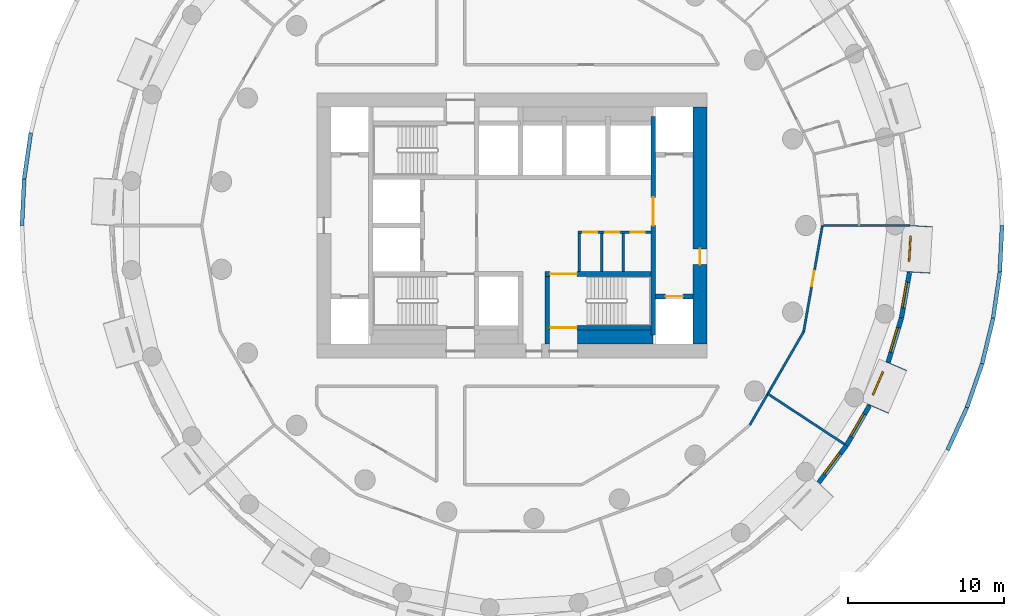
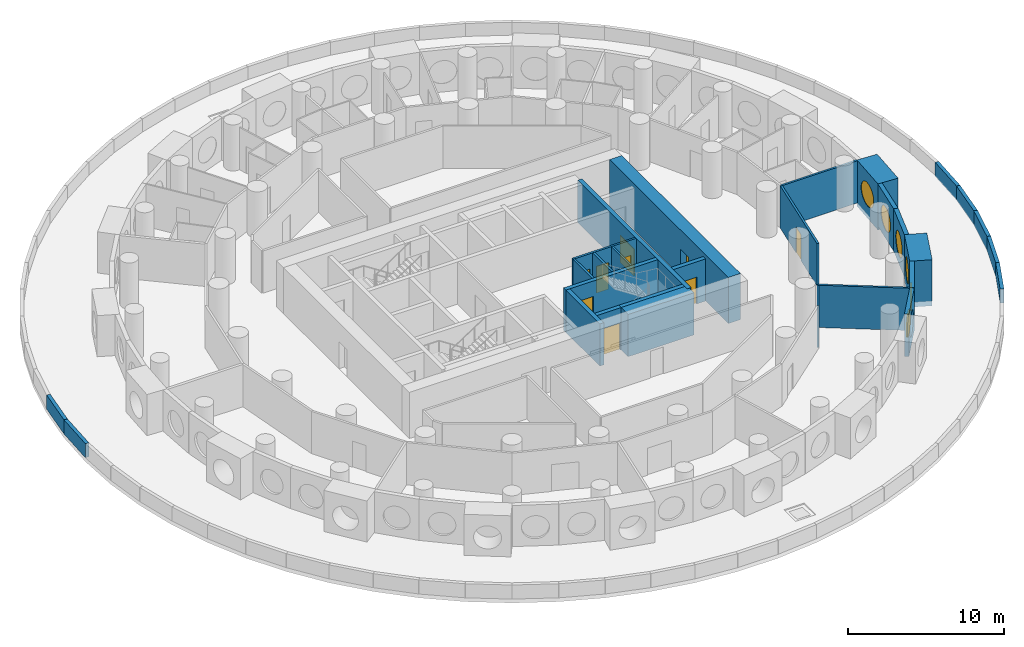
# One storey, part 5 of 13: 29 walls, 9 doors, 6 windows, 15 openings.
"""IFC4 building model written with IfcOpenShell, lengths in metres."""

from ifc_helpers import new_model, si_unit, direction, frame, frame_2d, origin, origin_2d, place, context, subcontext, project, spatial, rectangle, circle, extrude, material, layer, layer_set, type_object, element, fill, save


model = new_model("IFC4")

# Units and contexts
model_context = context("Model", 3, precision=1e-05, world=origin(), true_north=direction((0.0, 1.0)))
body_context = subcontext(model_context, "Body", "Model", "MODEL_VIEW")
ifc_project = project(units=[si_unit("LENGTHUNIT", "METRE"), si_unit("AREAUNIT", "SQUARE_METRE"), si_unit("VOLUMEUNIT", "CUBIC_METRE"), si_unit("PLANEANGLEUNIT", "RADIAN"), si_unit("MASSUNIT", "GRAM", prefix="KILO")], contexts=[model_context])

# Site, building, storey
site_placement = place(None, origin())
site = spatial("IfcSite", under=ifc_project, at=site_placement, CompositionType="ELEMENT")
building_placement = place(site_placement, origin())
building = spatial("IfcBuilding", under=site, at=building_placement, Name="Tracery Tower", CompositionType="ELEMENT")
storey_placement = place(building_placement, frame((0.0, 0.0, 126.0)))
storey = spatial("IfcBuildingStorey", under=building, at=storey_placement, Name="L31", CompositionType="ELEMENT", Elevation=126.0)

# Wall
ifc_material_1 = material(Name="Plasterboard on steel studs", Category="steel")
ifc_layer_1 = layer(ifc_material_1, 0.14990234375)
ifc_layer_set_1 = layer_set([ifc_layer_1], Name="Core room partition 150")
wall_type_1 = type_object("IfcWallType", Name="Core room partition 150", PredefinedType="SOLIDWALL", material=ifc_layer_set_1)
wall_1_placement = place(storey_placement, frame((4.300048828125, -2.949951171875, 0.0), z_axis=(0.0, 0.0, 1.0), x_axis=(0.0, 1.0, 0.0)))
element("IfcWall", 1, at=wall_1_placement, inside=storey, type_object=wall_type_1, Name="L31 slot W", PredefinedType="SOLIDWALL", context=body_context, shape_type="SweptSolid", body=[
    extrude(rectangle(XDim=2.449951171875, YDim=0.14990234375, at=frame_2d((1.22509765625, 0.0))), origin(), (0.0, 0.0, 1.0), 3.300048828125),
])

# Wall, openings, doors
wall_2_placement = place(storey_placement, frame((4.22509765625, -0.425048828125, 0.0), z_axis=(0.0, 0.0, 1.0), x_axis=(1.0, 0.0, 0.0)))
wall_2 = element("IfcWall", 2, at=wall_2_placement, inside=storey, type_object=wall_type_1, Name="L31 slot N", PredefinedType="SOLIDWALL", context=body_context, shape_type="SweptSolid", body=[
    extrude(rectangle(XDim=4.6748046875, YDim=0.14990234375, at=frame_2d((2.33740234375, 0.0))), origin(), (0.0, 0.0, 1.0), 3.300048828125),
])
opening_1_placement = place(wall_2_placement, frame((0.35009765625, 0.0, 0.0)))
opening_1 = element("IfcOpeningElement", 3, at=opening_1_placement, cuts=wall_2, Name="Opening KD27", PredefinedType="OPENING", context=body_context, shape_type="SweptSolid", body=[
    extrude(rectangle(XDim=0.89990234375, YDim=2.10009765625, at=frame_2d((0.449951171875, 1.050048828125))), frame((0.0, 0.074951171875, 0.0), z_axis=(0.0, -1.0, 0.0), x_axis=(1.0, 0.0, 0.0)), (0.0, 0.0, 1.0), 0.14990234375),
])
opening_2_placement = place(wall_2_placement, frame((1.762451171875, 0.0, 0.0)))
opening_2 = element("IfcOpeningElement", 4, at=opening_2_placement, cuts=wall_2, Name="Opening KD26", PredefinedType="OPENING", context=body_context, shape_type="SweptSolid", body=[
    extrude(rectangle(XDim=0.89990234375, YDim=2.10009765625, at=frame_2d((0.449951171875, 1.050048828125))), frame((0.0, 0.074951171875, 0.0), z_axis=(0.0, -1.0, 0.0), x_axis=(1.0, 0.0, 0.0)), (0.0, 0.0, 1.0), 0.14990234375),
])
opening_3_placement = place(wall_2_placement, frame((3.375, 0.0, 0.0)))
opening_3 = element("IfcOpeningElement", 5, at=opening_3_placement, cuts=wall_2, Name="Opening KD22", PredefinedType="OPENING", context=body_context, shape_type="SweptSolid", body=[
    extrude(rectangle(XDim=0.89990234375, YDim=2.10009765625, at=frame_2d((0.449951171875, 1.050048828125))), frame((0.0, 0.074951171875, 0.0), z_axis=(0.0, -1.0, 0.0), x_axis=(1.0, 0.0, 0.0)), (0.0, 0.0, 1.0), 0.14990234375),
])
ifc_material_2 = material(Name="Timber door leaf", Category="wood")
door_type_1 = type_object("IfcDoorType", Name="Core WC door 900", OperationType="NOTDEFINED", PredefinedType="DOOR", material=ifc_material_2)
door_1_placement = place(opening_3_placement, origin())
door_1 = element("IfcDoor", 6, at=door_1_placement, inside=storey, type_object=door_type_1, Name="Core door", OperationType="SINGLE_SWING_RIGHT", OverallHeight=2.10009765625, OverallWidth=0.89990234375, PredefinedType="DOOR", context=body_context, shape_type="SweptSolid", body=[
    extrude(rectangle(XDim=0.89990234375, YDim=2.10009765625, at=frame_2d((0.449951171875, 1.050048828125))), frame((0.0, 0.02490234375, 0.0), z_axis=(0.0, -1.0, 0.0), x_axis=(1.0, 0.0, 0.0)), (0.0, 0.0, 1.0), 0.050048828125),
])
fill(opening_3, door_1)
ifc_material_3 = material(Name="Timber door leaf", Category="wood")
door_type_2 = type_object("IfcDoorType", Name="Core store door 900", OperationType="NOTDEFINED", PredefinedType="DOOR", material=ifc_material_3)
door_2_placement = place(opening_1_placement, origin())
door_2 = element("IfcDoor", 7, at=door_2_placement, inside=storey, type_object=door_type_2, Name="Core door", OperationType="SINGLE_SWING_RIGHT", OverallHeight=2.10009765625, OverallWidth=0.89990234375, PredefinedType="DOOR", context=body_context, shape_type="SweptSolid", body=[
    extrude(rectangle(XDim=0.89990234375, YDim=2.10009765625, at=frame_2d((0.449951171875, 1.050048828125))), frame((0.0, 0.02490234375, 0.0), z_axis=(0.0, -1.0, 0.0), x_axis=(1.0, 0.0, 0.0)), (0.0, 0.0, 1.0), 0.050048828125),
])
fill(opening_1, door_2)
door_3_placement = place(opening_2_placement, origin())
door_3 = element("IfcDoor", 8, at=door_3_placement, inside=storey, type_object=door_type_2, Name="Core door", OperationType="SINGLE_SWING_LEFT", OverallHeight=2.10009765625, OverallWidth=0.89990234375, PredefinedType="DOOR", context=body_context, shape_type="SweptSolid", body=[
    extrude(rectangle(XDim=0.89990234375, YDim=2.10009765625, at=frame_2d((0.449951171875, 1.050048828125))), frame((0.0, 0.02490234375, 0.0), z_axis=(0.0, -1.0, 0.0), x_axis=(1.0, 0.0, 0.0)), (0.0, 0.0, 1.0), 0.050048828125),
])
fill(opening_2, door_3)

# Walls
for number, where, z_axis, x_axis, name in (
    (9, (5.75, -2.949951171875, 0.0), (0.0, 0.0, 1.0), (0.0, 1.0, 0.0), "L31 slot sep 1"),
    (10, (7.125, -2.949951171875, 0.0), (0.0, 0.0, 1.0), (0.0, 1.0, 0.0), "L31 slot sep 2"),
):
    element("IfcWall", number, at=place(storey_placement, frame(where, z_axis=z_axis, x_axis=x_axis)), inside=storey, type_object=wall_type_1, Name=name, PredefinedType="SOLIDWALL", context=body_context, shape_type="SweptSolid", body=[
        extrude(rectangle(XDim=2.449951171875, YDim=0.14990234375, at=frame_2d((1.22509765625, 0.0))), origin(), (0.0, 0.0, 1.0), 3.300048828125),
    ])
ifc_material_4 = material(Name="Concrete C50/60", Category="concrete")
ifc_layer_2 = layer(ifc_material_4, 0.89990234375)
ifc_layer_set_2 = layer_set([ifc_layer_2], Name="Core strip wall 900 C50")
wall_type_2 = type_object("IfcWallType", Name="Core strip wall 900 C50", PredefinedType="SOLIDWALL", material=ifc_layer_set_2)
wall_3_placement = place(storey_placement, frame((4.199951171875, -7.14990234375, 0.0), z_axis=(0.0, 0.0, 1.0), x_axis=(1.0, 0.0, 0.0)))
element("IfcWall", 11, at=wall_3_placement, inside=storey, type_object=wall_type_2, Name="L31 F thick S E", PredefinedType="SOLIDWALL", context=body_context, shape_type="SweptSolid", body=[
    extrude(rectangle(XDim=4.85009765625, YDim=0.89990234375, at=frame_2d((2.425048828125, 0.0))), origin(), (0.0, 0.0, 1.0), 3.300048828125),
])

# Wall, opening, door
ifc_material_5 = material(Name="Concrete C50/60", Category="concrete")
ifc_layer_3 = layer(ifc_material_5, 0.89990234375)
ifc_layer_set_3 = layer_set([ifc_layer_3], Name="Core wall 900 C50")
wall_type_3 = type_object("IfcWallType", Name="Core wall 900 C50", PredefinedType="SOLIDWALL", material=ifc_layer_set_3)
wall_4_placement = place(storey_placement, frame((12.050048828125, -7.60009765625, 0.0), z_axis=(0.0, 0.0, 1.0), x_axis=(0.0, 1.0, 0.0)))
wall_4 = element("IfcWall", 12, at=wall_4_placement, inside=storey, type_object=wall_type_3, Name="L31 outer E", PredefinedType="SOLIDWALL", context=body_context, shape_type="SweptSolid", body=[
    extrude(rectangle(XDim=15.2001953125, YDim=0.89990234375, at=frame_2d((7.60009765625, 0.0))), origin(), (0.0, 0.0, 1.0), 3.60009765625),
])
opening_4_placement = place(wall_4_placement, frame((5.10009765625, 0.0, 0.0)))
opening_4 = element("IfcOpeningElement", 13, at=opening_4_placement, cuts=wall_4, Name="Opening KD18", PredefinedType="OPENING", context=body_context, shape_type="SweptSolid", body=[
    extrude(rectangle(XDim=1.0, YDim=2.10009765625, at=frame_2d((0.5, 1.050048828125))), frame((0.0, 0.449951171875, 0.0), z_axis=(0.0, -1.0, 0.0), x_axis=(1.0, 0.0, 0.0)), (0.0, 0.0, 1.0), 0.89990234375),
])
ifc_material_6 = material(Name="Steel fire door", Category="steel")
door_type_3 = type_object("IfcDoorType", Name="Core exit door 1000", OperationType="NOTDEFINED", PredefinedType="DOOR", material=ifc_material_6)
door_4_placement = place(opening_4_placement, origin())
door_4 = element("IfcDoor", 14, at=door_4_placement, inside=storey, type_object=door_type_3, Name="Core exit door", OperationType="DOUBLE_DOOR_SINGLE_SWING", OverallHeight=2.10009765625, OverallWidth=1.0, PredefinedType="DOOR", context=body_context, shape_type="SweptSolid", body=[
    extrude(rectangle(XDim=1.0, YDim=2.10009765625, at=frame_2d((0.5, 1.050048828125))), frame((0.0, 0.02490234375, 0.0), z_axis=(0.0, -1.0, 0.0), x_axis=(1.0, 0.0, 0.0)), (0.0, 0.0, 1.0), 0.050048828125),
])
fill(opening_4, door_4)

# Wall, opening, window
ifc_material_7 = material(Name="Precast concrete C50/60", Category="concrete")
ifc_layer_4 = layer(ifc_material_7, 1.449951171875)
ifc_layer_set_4 = layer_set([ifc_layer_4], Name="Deep-set bay unit 3000 x 3600, slab edge 300")
wall_type_4 = type_object("IfcWallType", Name="Deep-set bay unit 3000 x 3600, slab edge 300", PredefinedType="ELEMENTEDWALL", material=ifc_layer_set_4)
wall_5_placement = place(storey_placement, frame((23.44384765625, -11.746337890625, -0.300048828125), z_axis=(0.0, 0.0, 1.0), x_axis=(0.396079003245, 0.918216435917, 0.0)))
wall_5 = element("IfcWall", 15, at=wall_5_placement, inside=storey, type_object=wall_type_4, Name="Deep-set bay unit 51 at L31", PredefinedType="ELEMENTEDWALL", context=body_context, shape_type="SweptSolid", body=[
    extrude(rectangle(XDim=3.0, YDim=1.449951171875, at=frame_2d((1.5, 0.0))), origin(), (0.0, 0.0, 1.0), 3.60009765625),
])
opening_5_placement = place(wall_5_placement, frame((1.5, 0.0, 1.85009765625)))
opening_5 = element("IfcOpeningElement", 16, at=opening_5_placement, cuts=wall_5, Name="Opening WN1", PredefinedType="OPENING", context=body_context, shape_type="SweptSolid", body=[
    extrude(circle(Radius=0.9000244140625, at=origin_2d()), frame((0.0, 0.73486328125, 0.0), z_axis=(0.0, -1.0, 0.0), x_axis=(1.0, 0.0, 0.0)), (0.0, 0.0, 1.0), 1.469970703125),
])
ifc_material_8 = material(Name="Aluminium frame with tinted double glazing", Category="aluminium")
window_type = type_object("IfcWindowType", Name="Round window 1800", PartitioningType="SINGLE_PANEL", PredefinedType="WINDOW", material=ifc_material_8)
window_1_placement = place(opening_5_placement, origin())
window_1 = element("IfcWindow", 17, at=window_1_placement, inside=storey, type_object=window_type, Name="Round window 51 at L31", OverallHeight=1.800048828125, OverallWidth=1.800048828125, PartitioningType="SINGLE_PANEL", PredefinedType="WINDOW", context=body_context, shape_type="SweptSolid", body=[
    extrude(circle(Radius=0.9000244140625, at=origin_2d()), frame((0.0, 0.69482421875, 0.0), z_axis=(0.0, -1.0, 0.0), x_axis=(1.0, 0.0, 0.0)), (0.0, 0.0, 1.0), 0.10009765625),
])
fill(opening_5, window_1)

wall_6_placement = place(storey_placement, frame((26.047607421875, -3.01953125, -0.300048828125), z_axis=(0.0, 0.0, 1.0), x_axis=(0.058106596105, 0.998310384344, 0.0)))
wall_6 = element("IfcWall", 18, at=wall_6_placement, inside=storey, type_object=wall_type_4, Name="Deep-set bay unit 54 at L31", PredefinedType="ELEMENTEDWALL", context=body_context, shape_type="SweptSolid", body=[
    extrude(rectangle(XDim=3.0, YDim=1.449951171875, at=frame_2d((1.5, 0.0))), origin(), (0.0, 0.0, 1.0), 3.60009765625),
])
opening_6_placement = place(wall_6_placement, frame((1.5, 0.0, 1.85009765625)))
opening_6 = element("IfcOpeningElement", 19, at=opening_6_placement, cuts=wall_6, Name="Opening WN1", PredefinedType="OPENING", context=body_context, shape_type="SweptSolid", body=[
    extrude(circle(Radius=0.9000244140625, at=origin_2d()), frame((0.0, 0.73486328125, 0.0), z_axis=(0.0, -1.0, 0.0), x_axis=(1.0, 0.0, 0.0)), (0.0, 0.0, 1.0), 1.469970703125),
])
window_2_placement = place(opening_6_placement, origin())
window_2 = element("IfcWindow", 20, at=window_2_placement, inside=storey, type_object=window_type, Name="Round window 54 at L31", OverallHeight=1.800048828125, OverallWidth=1.800048828125, PartitioningType="SINGLE_PANEL", PredefinedType="WINDOW", context=body_context, shape_type="SweptSolid", body=[
    extrude(circle(Radius=0.9000244140625, at=origin_2d()), frame((0.0, 0.69482421875, 0.0), z_axis=(0.0, -1.0, 0.0), x_axis=(1.0, 0.0, 0.0)), (0.0, 0.0, 1.0), 0.10009765625),
])
fill(opening_6, window_2)

ifc_material_9 = material(Name="Precast concrete C50/60", Category="concrete")
ifc_layer_5 = layer(ifc_material_9, 0.300048828125)
ifc_layer_set_5 = layer_set([ifc_layer_5], Name="Facade panel 3000 x 3300")
wall_type_5 = type_object("IfcWallType", Name="Facade panel 3000 x 3300", PredefinedType="SOLIDWALL", material=ifc_layer_set_5)
wall_7_placement = place(storey_placement, frame((19.65283203125, -16.47802734375, 0.0), z_axis=(0.0, 0.0, 1.0), x_axis=(0.597197580538, 0.80209416517, 0.0)))
wall_7 = element("IfcWall", 21, at=wall_7_placement, inside=storey, type_object=wall_type_5, Name="Facade panel 49 at L31", PredefinedType="SOLIDWALL", context=body_context, shape_type="SweptSolid", body=[
    extrude(rectangle(XDim=2.972900390625, YDim=0.300048828125, at=frame_2d((1.486328125, 0.0))), origin(), (0.0, 0.0, 1.0), 3.300048828125),
])
opening_7_placement = place(wall_7_placement, frame((1.486328125, 0.0, 1.5498046875)))
opening_7 = element("IfcOpeningElement", 22, at=opening_7_placement, cuts=wall_7, Name="Opening WN1", PredefinedType="OPENING", context=body_context, shape_type="SweptSolid", body=[
    extrude(circle(Radius=0.9000244140625, at=origin_2d()), frame((0.0, 0.159912109375, 0.0), z_axis=(0.0, -1.0, 0.0), x_axis=(1.0, 0.0, 0.0)), (0.0, 0.0, 1.0), 0.320068359375),
])
window_3_placement = place(opening_7_placement, origin())
window_3 = element("IfcWindow", 23, at=window_3_placement, inside=storey, type_object=window_type, Name="Round window 49 at L31", OverallHeight=1.800048828125, OverallWidth=1.800048828125, PartitioningType="SINGLE_PANEL", PredefinedType="WINDOW", context=body_context, shape_type="SweptSolid", body=[
    extrude(circle(Radius=0.9000244140625, at=origin_2d()), frame((0.0, 0.1201171875, 0.0), z_axis=(0.0, -1.0, 0.0), x_axis=(1.0, 0.0, 0.0)), (0.0, 0.0, 1.0), 0.10009765625),
])
fill(opening_7, window_3)

wall_8_placement = place(storey_placement, frame((21.42822265625, -14.093505859375, 0.0), z_axis=(0.0, 0.0, 1.0), x_axis=(0.499954672104, 0.866051572276, 0.0)))
wall_8 = element("IfcWall", 24, at=wall_8_placement, inside=storey, type_object=wall_type_5, Name="Facade panel 50 at L31", PredefinedType="SOLIDWALL", context=body_context, shape_type="SweptSolid", body=[
    extrude(rectangle(XDim=2.972900390625, YDim=0.300048828125, at=frame_2d((1.486328125, 0.0))), origin(), (0.0, 0.0, 1.0), 3.300048828125),
])
opening_8_placement = place(wall_8_placement, frame((1.486328125, 0.0, 1.5498046875)))
opening_8 = element("IfcOpeningElement", 25, at=opening_8_placement, cuts=wall_8, Name="Opening WN1", PredefinedType="OPENING", context=body_context, shape_type="SweptSolid", body=[
    extrude(circle(Radius=0.9000244140625, at=origin_2d()), frame((0.0, 0.159912109375, 0.0), z_axis=(0.0, -1.0, 0.0), x_axis=(1.0, 0.0, 0.0)), (0.0, 0.0, 1.0), 0.320068359375),
])
window_4_placement = place(opening_8_placement, origin())
window_4 = element("IfcWindow", 26, at=window_4_placement, inside=storey, type_object=window_type, Name="Round window 50 at L31", OverallHeight=1.800048828125, OverallWidth=1.800048828125, PartitioningType="SINGLE_PANEL", PredefinedType="WINDOW", context=body_context, shape_type="SweptSolid", body=[
    extrude(circle(Radius=0.9000244140625, at=origin_2d()), frame((0.0, 0.1201171875, 0.0), z_axis=(0.0, -1.0, 0.0), x_axis=(1.0, 0.0, 0.0)), (0.0, 0.0, 1.0), 0.10009765625),
])
fill(opening_8, window_4)

wall_9_placement = place(storey_placement, frame((24.103515625, -8.7626953125, 0.0), z_axis=(0.0, 0.0, 1.0), x_axis=(0.286782750849, 0.957995643944, 0.0)))
wall_9 = element("IfcWall", 27, at=wall_9_placement, inside=storey, type_object=wall_type_5, Name="Facade panel 52 at L31", PredefinedType="SOLIDWALL", context=body_context, shape_type="SweptSolid", body=[
    extrude(rectangle(XDim=2.97265625, YDim=0.300048828125, at=frame_2d((1.486328125, 0.0))), origin(), (0.0, 0.0, 1.0), 3.300048828125),
])
opening_9_placement = place(wall_9_placement, frame((1.486328125, 0.0, 1.5498046875)))
opening_9 = element("IfcOpeningElement", 28, at=opening_9_placement, cuts=wall_9, Name="Opening WN1", PredefinedType="OPENING", context=body_context, shape_type="SweptSolid", body=[
    extrude(circle(Radius=0.9000244140625, at=origin_2d()), frame((0.0, 0.159912109375, 0.0), z_axis=(0.0, -1.0, 0.0), x_axis=(1.0, 0.0, 0.0)), (0.0, 0.0, 1.0), 0.320068359375),
])
window_5_placement = place(opening_9_placement, origin())
window_5 = element("IfcWindow", 29, at=window_5_placement, inside=storey, type_object=window_type, Name="Round window 52 at L31", OverallHeight=1.800048828125, OverallWidth=1.800048828125, PartitioningType="SINGLE_PANEL", PredefinedType="WINDOW", context=body_context, shape_type="SweptSolid", body=[
    extrude(circle(Radius=0.9000244140625, at=origin_2d()), frame((0.0, 0.1201171875, 0.0), z_axis=(0.0, -1.0, 0.0), x_axis=(1.0, 0.0, 0.0)), (0.0, 0.0, 1.0), 0.10009765625),
])
fill(opening_9, window_5)

wall_10_placement = place(storey_placement, frame((24.9560546875, -5.914794921875, 0.0), z_axis=(0.0, 0.0, 1.0), x_axis=(0.173686952598, 0.984800915159, 0.0)))
wall_10 = element("IfcWall", 30, at=wall_10_placement, inside=storey, type_object=wall_type_5, Name="Facade panel 53 at L31", PredefinedType="SOLIDWALL", context=body_context, shape_type="SweptSolid", body=[
    extrude(rectangle(XDim=2.972900390625, YDim=0.300048828125, at=frame_2d((1.486328125, 0.0))), origin(), (0.0, 0.0, 1.0), 3.300048828125),
])
opening_10_placement = place(wall_10_placement, frame((1.486328125, 0.0, 1.5498046875)))
opening_10 = element("IfcOpeningElement", 31, at=opening_10_placement, cuts=wall_10, Name="Opening WN1", PredefinedType="OPENING", context=body_context, shape_type="SweptSolid", body=[
    extrude(circle(Radius=0.9000244140625, at=origin_2d()), frame((0.0, 0.159912109375, 0.0), z_axis=(0.0, -1.0, 0.0), x_axis=(1.0, 0.0, 0.0)), (0.0, 0.0, 1.0), 0.320068359375),
])
window_6_placement = place(opening_10_placement, origin())
window_6 = element("IfcWindow", 32, at=window_6_placement, inside=storey, type_object=window_type, Name="Round window 53 at L31", OverallHeight=1.800048828125, OverallWidth=1.800048828125, PartitioningType="SINGLE_PANEL", PredefinedType="WINDOW", context=body_context, shape_type="SweptSolid", body=[
    extrude(circle(Radius=0.9000244140625, at=origin_2d()), frame((0.0, 0.1201171875, 0.0), z_axis=(0.0, -1.0, 0.0), x_axis=(1.0, 0.0, 0.0)), (0.0, 0.0, 1.0), 0.10009765625),
])
fill(opening_10, window_6)

# Walls
ifc_material_10 = material(Name="Plasterboard on steel studs", Category="steel")
ifc_layer_6 = layer(ifc_material_10, 0.14990234375)
ifc_layer_set_6 = layer_set([ifc_layer_6], Name="Partition 150 acoustic unit wall")
wall_type_6 = type_object("IfcWallType", Name="Partition 150 acoustic unit wall", PredefinedType="PARTITIONING", material=ifc_layer_set_6)
wall_11_placement = place(storey_placement, frame((19.887939453125, 0.0, 0.0), z_axis=(0.0, 0.0, 1.0), x_axis=(1.0, 0.0, 0.0)))
element("IfcWall", 33, at=wall_11_placement, inside=storey, type_object=wall_type_6, Name="Unit wall RB1-048", PredefinedType="PARTITIONING", context=body_context, shape_type="SweptSolid", body=[
    extrude(rectangle(XDim=5.609130859375, YDim=0.14990234375, at=frame_2d((2.8046875, 0.0))), origin(), (0.0, 0.0, 1.0), 3.300048828125),
])
wall_12_placement = place(storey_placement, frame((16.39111328125, -10.781005859375, 0.0), z_axis=(0.0, 0.0, 1.0), x_axis=(0.835534987945, -0.54943724293, 0.0)))
element("IfcWall", 34, at=wall_12_placement, inside=storey, type_object=wall_type_6, Name="Unit wall RB1-080", PredefinedType="PARTITIONING", context=body_context, shape_type="SweptSolid", body=[
    extrude(rectangle(XDim=5.878662109375, YDim=0.14990234375, at=frame_2d((2.939453125, 0.0))), origin(), (0.0, 0.0, 1.0), 3.300048828125),
])
ifc_material_11 = material(Name="Plasterboard on steel studs", Category="steel")
ifc_layer_7 = layer(ifc_material_11, 0.14990234375)
ifc_layer_set_7 = layer_set([ifc_layer_7], Name="Partition 150 corridor wall")
wall_type_7 = type_object("IfcWallType", Name="Partition 150 corridor wall", PredefinedType="PARTITIONING", material=ifc_layer_set_7)
wall_13_placement = place(storey_placement, frame((15.235107421875, -12.783935546875, 0.0), z_axis=(0.0, 0.0, 1.0), x_axis=(0.499940714931, 0.86605962933, 0.0)))
element("IfcWall", 35, at=wall_13_placement, inside=storey, type_object=wall_type_7, Name="Corridor wall RB1-010", PredefinedType="PARTITIONING", context=body_context, shape_type="SweptSolid", body=[
    extrude(rectangle(XDim=6.906982421875, YDim=0.14990234375, at=frame_2d((3.45361328125, 0.0))), origin(), (0.0, 0.0, 1.0), 3.300048828125),
])

# Wall, opening, door
wall_14_placement = place(storey_placement, frame((18.68798828125, -6.802001953125, 0.0), z_axis=(0.0, 0.0, 1.0), x_axis=(0.173728873845, 0.98479352069, 0.0)))
wall_14 = element("IfcWall", 36, at=wall_14_placement, inside=storey, type_object=wall_type_7, Name="Corridor wall RB1-012", PredefinedType="PARTITIONING", context=body_context, shape_type="SweptSolid", body=[
    extrude(rectangle(XDim=6.906982421875, YDim=0.14990234375, at=frame_2d((3.45361328125, 0.0))), origin(), (0.0, 0.0, 1.0), 3.300048828125),
])
opening_11_placement = place(wall_14_placement, frame((2.952880859375, 0.0, 0.0)))
opening_11 = element("IfcOpeningElement", 37, at=opening_11_placement, cuts=wall_14, Name="Opening RB1-31", PredefinedType="OPENING", context=body_context, shape_type="SweptSolid", body=[
    extrude(rectangle(XDim=1.0, YDim=2.0400390625, at=frame_2d((0.5, 1.02001953125))), frame((0.0, 0.074951171875, 0.0), z_axis=(0.0, -1.0, 0.0), x_axis=(1.0, 0.0, 0.0)), (0.0, 0.0, 1.0), 0.14990234375),
])
ifc_material_12 = material(Name="Timber door leaf", Category="wood")
door_type_4 = type_object("IfcDoorType", Name="Door communal room 1000", OperationType="NOTDEFINED", PredefinedType="DOOR", material=ifc_material_12)
door_5_placement = place(opening_11_placement, origin())
door_5 = element("IfcDoor", 38, at=door_5_placement, inside=storey, type_object=door_type_4, Name="Communal room door RB1-31", OperationType="SINGLE_SWING_RIGHT", OverallHeight=2.0400390625, OverallWidth=1.0, PredefinedType="DOOR", context=body_context, shape_type="SweptSolid", body=[
    extrude(rectangle(XDim=1.0, YDim=2.0400390625, at=frame_2d((0.5, 1.02001953125))), frame((0.0, 0.02490234375, 0.0), z_axis=(0.0, -1.0, 0.0), x_axis=(1.0, 0.0, 0.0)), (0.0, 0.0, 1.0), 0.050048828125),
])
fill(opening_11, door_5)

ifc_material_13 = material(Name="Concrete C50/60", Category="concrete")
ifc_layer_8 = layer(ifc_material_13, 0.300048828125)
ifc_layer_set_8 = layer_set([ifc_layer_8], Name="Shaft wall 300 C50")
wall_type_8 = type_object("IfcWallType", Name="Shaft wall 300 C50", PredefinedType="SOLIDWALL", material=ifc_layer_set_8)
wall_15_placement = place(storey_placement, frame((9.199951171875, -4.550048828125, 0.0), z_axis=(0.0, 0.0, 1.0), x_axis=(1.0, 0.0, 0.0)))
wall_15 = element("IfcWall", 39, at=wall_15_placement, inside=storey, type_object=wall_type_8, Name="L31 MR E -4.55", PredefinedType="SOLIDWALL", context=body_context, shape_type="SweptSolid", body=[
    extrude(rectangle(XDim=2.400146484375, YDim=0.300048828125, at=frame_2d((1.2001953125, 0.0))), origin(), (0.0, 0.0, 1.0), 3.300048828125),
])
opening_12_placement = place(wall_15_placement, frame((0.64990234375, 0.0, 0.0)))
opening_12 = element("IfcOpeningElement", 40, at=opening_12_placement, cuts=wall_15, Name="Opening KD50", PredefinedType="OPENING", context=body_context, shape_type="SweptSolid", body=[
    extrude(rectangle(XDim=1.10009765625, YDim=2.10009765625, at=frame_2d((0.550048828125, 1.050048828125))), frame((0.0, 0.14990234375, 0.0), z_axis=(0.0, -1.0, 0.0), x_axis=(1.0, 0.0, 0.0)), (0.0, 0.0, 1.0), 0.300048828125),
])
ifc_material_14 = material(Name="Steel fire door", Category="steel")
door_type_5 = type_object("IfcDoorType", Name="Landing door 1100", OperationType="NOTDEFINED", PredefinedType="DOOR", material=ifc_material_14)
door_6_placement = place(opening_12_placement, origin())
door_6 = element("IfcDoor", 41, at=door_6_placement, inside=storey, type_object=door_type_5, Name="Landing door MR3", OperationType="SLIDING_TO_RIGHT", OverallHeight=2.10009765625, OverallWidth=1.10009765625, PredefinedType="DOOR", context=body_context, shape_type="SweptSolid", body=[
    extrude(rectangle(XDim=1.10009765625, YDim=2.10009765625, at=frame_2d((0.550048828125, 1.050048828125))), frame((0.0, 0.02490234375, 0.0), z_axis=(0.0, -1.0, 0.0), x_axis=(1.0, 0.0, 0.0)), (0.0, 0.0, 1.0), 0.050048828125),
])
fill(opening_12, door_6)

ifc_material_15 = material(Name="Concrete C50/60", Category="concrete")
ifc_layer_9 = layer(ifc_material_15, 0.300048828125)
ifc_layer_set_9 = layer_set([ifc_layer_9], Name="Stair wall 300 C50")
wall_type_9 = type_object("IfcWallType", Name="Stair wall 300 C50", PredefinedType="SOLIDWALL", material=ifc_layer_set_9)
wall_16_placement = place(storey_placement, frame((2.10009765625, -3.10009765625, 0.0), z_axis=(0.0, 0.0, 1.0), x_axis=(1.0, 0.0, 0.0)))
wall_16 = element("IfcWall", 42, at=wall_16_placement, inside=storey, type_object=wall_type_9, Name="L31 row S E", PredefinedType="SOLIDWALL", context=body_context, shape_type="SweptSolid", body=[
    extrude(rectangle(XDim=6.7998046875, YDim=0.300048828125, at=frame_2d((3.39990234375, 0.0))), origin(), (0.0, 0.0, 1.0), 3.300048828125),
])
opening_13_placement = place(wall_16_placement, frame((0.35009765625, 0.0, 0.0)))
opening_13 = element("IfcOpeningElement", 43, at=opening_13_placement, cuts=wall_16, Name="Opening KD3", PredefinedType="OPENING", context=body_context, shape_type="SweptSolid", body=[
    extrude(rectangle(XDim=1.699951171875, YDim=2.10009765625, at=frame_2d((0.85009765625, 1.050048828125))), frame((0.0, 0.14990234375, 0.0), z_axis=(0.0, -1.0, 0.0), x_axis=(1.0, 0.0, 0.0)), (0.0, 0.0, 1.0), 0.300048828125),
])
ifc_material_16 = material(Name="Steel fire door", Category="steel")
door_type_6 = type_object("IfcDoorType", Name="Core stair door 1700 double", OperationType="NOTDEFINED", PredefinedType="DOOR", material=ifc_material_16)
door_7_placement = place(opening_13_placement, origin())
door_7 = element("IfcDoor", 44, at=door_7_placement, inside=storey, type_object=door_type_6, Name="Stair door ST2", OperationType="DOUBLE_DOOR_SINGLE_SWING", OverallHeight=2.10009765625, OverallWidth=1.699951171875, PredefinedType="DOOR", context=body_context, shape_type="SweptSolid", body=[
    extrude(rectangle(XDim=1.699951171875, YDim=2.10009765625, at=frame_2d((0.85009765625, 1.050048828125))), frame((0.0, 0.02490234375, 0.0), z_axis=(0.0, -1.0, 0.0), x_axis=(1.0, 0.0, 0.0)), (0.0, 0.0, 1.0), 0.050048828125),
])
fill(opening_13, door_7)

# Wall
wall_17_placement = place(storey_placement, frame((2.25, -7.60009765625, 0.0), z_axis=(0.0, 0.0, 1.0), x_axis=(0.0, 1.0, 0.0)))
element("IfcWall", 45, at=wall_17_placement, inside=storey, type_object=wall_type_9, Name="L31 ST2 W", PredefinedType="SOLIDWALL", context=body_context, shape_type="SweptSolid", body=[
    extrude(rectangle(XDim=4.35009765625, YDim=0.300048828125, at=frame_2d((2.175048828125, 0.0))), origin(), (0.0, 0.0, 1.0), 3.300048828125),
])

# Wall, opening, door
wall_18_placement = place(storey_placement, frame((9.050048828125, -7.0, 0.0), z_axis=(0.0, 0.0, 1.0), x_axis=(0.0, 1.0, 0.0)))
wall_18 = element("IfcWall", 46, at=wall_18_placement, inside=storey, type_object=wall_type_9, Name="L31 F wall +9", PredefinedType="SOLIDWALL", context=body_context, shape_type="SweptSolid", body=[
    extrude(rectangle(XDim=14.0, YDim=0.300048828125, at=frame_2d((7.0, 0.0))), origin(), (0.0, 0.0, 1.0), 3.300048828125),
])
opening_14_placement = place(wall_18_placement, frame((7.0, 0.0, 0.0)))
opening_14 = element("IfcOpeningElement", 47, at=opening_14_placement, cuts=wall_18, Name="Opening KD13", PredefinedType="OPENING", context=body_context, shape_type="SweptSolid", body=[
    extrude(rectangle(XDim=1.800048828125, YDim=2.10009765625, at=frame_2d((0.89990234375, 1.050048828125))), frame((0.0, 0.14990234375, 0.0), z_axis=(0.0, -1.0, 0.0), x_axis=(1.0, 0.0, 0.0)), (0.0, 0.0, 1.0), 0.300048828125),
])
ifc_material_17 = material(Name="Steel fire door", Category="steel")
door_type_7 = type_object("IfcDoorType", Name="Core exit door 1800 double", OperationType="NOTDEFINED", PredefinedType="DOOR", material=ifc_material_17)
door_8_placement = place(opening_14_placement, origin())
door_8 = element("IfcDoor", 48, at=door_8_placement, inside=storey, type_object=door_type_7, Name="Core exit door", OperationType="DOUBLE_DOOR_SINGLE_SWING", OverallHeight=2.10009765625, OverallWidth=1.800048828125, PredefinedType="DOOR", context=body_context, shape_type="SweptSolid", body=[
    extrude(rectangle(XDim=1.800048828125, YDim=2.10009765625, at=frame_2d((0.89990234375, 1.050048828125))), frame((0.0, 0.02490234375, 0.0), z_axis=(0.0, -1.0, 0.0), x_axis=(1.0, 0.0, 0.0)), (0.0, 0.0, 1.0), 0.050048828125),
])
fill(opening_14, door_8)

# Wall
wall_19_placement = place(storey_placement, frame((4.199951171875, -6.550048828125, 0.0), z_axis=(0.0, 0.0, 1.0), x_axis=(1.0, 0.0, 0.0)))
element("IfcWall", 49, at=wall_19_placement, inside=storey, type_object=wall_type_9, Name="L31 F stair strip S E", PredefinedType="SOLIDWALL", context=body_context, shape_type="SweptSolid", body=[
    extrude(rectangle(XDim=4.699951171875, YDim=0.300048828125, at=frame_2d((2.35009765625, 0.0))), origin(), (0.0, 0.0, 1.0), 3.300048828125),
])

# Wall, opening, door
wall_20_placement = place(storey_placement, frame((2.39990234375, -6.550048828125, 0.0), z_axis=(0.0, 0.0, 1.0), x_axis=(1.0, 0.0, 0.0)))
wall_20 = element("IfcWall", 50, at=wall_20_placement, inside=storey, type_object=wall_type_9, Name="L31 F stair S E", PredefinedType="SOLIDWALL", context=body_context, shape_type="SweptSolid", body=[
    extrude(rectangle(XDim=1.800048828125, YDim=0.300048828125, at=frame_2d((0.89990234375, 0.0))), origin(), (0.0, 0.0, 1.0), 3.300048828125),
])
opening_15_placement = place(wall_20_placement, frame((0.050048828125, 0.0, 0.0)))
opening_15 = element("IfcOpeningElement", 51, at=opening_15_placement, cuts=wall_20, Name="Opening KD3", PredefinedType="OPENING", context=body_context, shape_type="SweptSolid", body=[
    extrude(rectangle(XDim=1.699951171875, YDim=2.10009765625, at=frame_2d((0.85009765625, 1.050048828125))), frame((0.0, 0.14990234375, 0.0), z_axis=(0.0, -1.0, 0.0), x_axis=(1.0, 0.0, 0.0)), (0.0, 0.0, 1.0), 0.300048828125),
])
door_9_placement = place(opening_15_placement, origin())
door_9 = element("IfcDoor", 52, at=door_9_placement, inside=storey, type_object=door_type_6, Name="Stair door vest", OperationType="DOUBLE_DOOR_SINGLE_SWING", OverallHeight=2.10009765625, OverallWidth=1.699951171875, PredefinedType="DOOR", context=body_context, shape_type="SweptSolid", body=[
    extrude(rectangle(XDim=1.699951171875, YDim=2.10009765625, at=frame_2d((0.85009765625, 1.050048828125))), frame((0.0, 0.02490234375, 0.0), z_axis=(0.0, -1.0, 0.0), x_axis=(1.0, 0.0, 0.0)), (0.0, 0.0, 1.0), 0.050048828125),
])
fill(opening_15, door_9)

# Walls
ifc_material_18 = material(Name="Precast concrete C50/60", Category="concrete")
ifc_layer_10 = layer(ifc_material_18, 0.25)
ifc_layer_set_10 = layer_set([ifc_layer_10], Name="Terrace parapet 250")
wall_type_10 = type_object("IfcWallType", Name="Terrace parapet 250", PredefinedType="PARAPET", material=ifc_layer_set_10)
wall_21_placement = place(storey_placement, frame((-30.8330078125, 5.935546875, 0.0), z_axis=(0.0, 0.0, 1.0), x_axis=(-0.142340681425, -0.989817725852, 0.0)))
element("IfcWall", 53, at=wall_21_placement, inside=storey, type_object=wall_type_10, Name="Terrace parapet L31 32", PredefinedType="PARAPET", context=body_context, shape_type="SweptSolid", body=[
    extrude(rectangle(XDim=2.97412109375, YDim=0.25, at=frame_2d((1.487060546875, 0.0))), origin(), (0.0, 0.0, 1.0), 1.10009765625),
])
wall_22_placement = place(storey_placement, frame((-31.257568359375, 2.977783203125, 0.0), z_axis=(0.0, 0.0, 1.0), x_axis=(-0.04760804787, -0.998866094018, 0.0)))
element("IfcWall", 54, at=wall_22_placement, inside=storey, type_object=wall_type_10, Name="Terrace parapet L31 33", PredefinedType="PARAPET", context=body_context, shape_type="SweptSolid", body=[
    extrude(rectangle(XDim=2.974365234375, YDim=0.25, at=frame_2d((1.4873046875, 0.0))), origin(), (0.0, 0.0, 1.0), 1.10009765625),
])
for number, where, z_axis, x_axis, name in (
    (55, (27.911865234375, -14.381591796875, 0.0), (0.0, 0.0, 1.0), (0.415447402248, 0.909617202985, 0.0), "Terrace parapet L31 62"),
    (56, (29.152587890625, -11.663330078125, 0.0), (0.0, 0.0, 1.0), (0.327042896484, 0.945009494058, 0.0), "Terrace parapet L31 63"),
    (57, (30.129150390625, -8.839599609375, 0.0), (0.0, 0.0, 1.0), (0.235750382892, 0.971813643126, 0.0), "Terrace parapet L31 64"),
    (58, (30.8330078125, -5.935546875, 0.0), (0.0, 0.0, 1.0), (0.142340681425, 0.989817725852, 0.0), "Terrace parapet L31 65"),
):
    element("IfcWall", number, at=place(storey_placement, frame(where, z_axis=z_axis, x_axis=x_axis)), inside=storey, type_object=wall_type_10, Name=name, PredefinedType="PARAPET", context=body_context, shape_type="SweptSolid", body=[
        extrude(rectangle(XDim=2.97412109375, YDim=0.25, at=frame_2d((1.487060546875, 0.0))), origin(), (0.0, 0.0, 1.0), 1.10009765625),
    ])
wall_23_placement = place(storey_placement, frame((31.257568359375, -2.977783203125, 0.0), z_axis=(0.0, 0.0, 1.0), x_axis=(0.04760804787, 0.998866094018, 0.0)))
element("IfcWall", 59, at=wall_23_placement, inside=storey, type_object=wall_type_10, Name="Terrace parapet L31 66", PredefinedType="PARAPET", context=body_context, shape_type="SweptSolid", body=[
    extrude(rectangle(XDim=2.974365234375, YDim=0.25, at=frame_2d((1.4873046875, 0.0))), origin(), (0.0, 0.0, 1.0), 1.10009765625),
])

save(model, "model.ifc")
